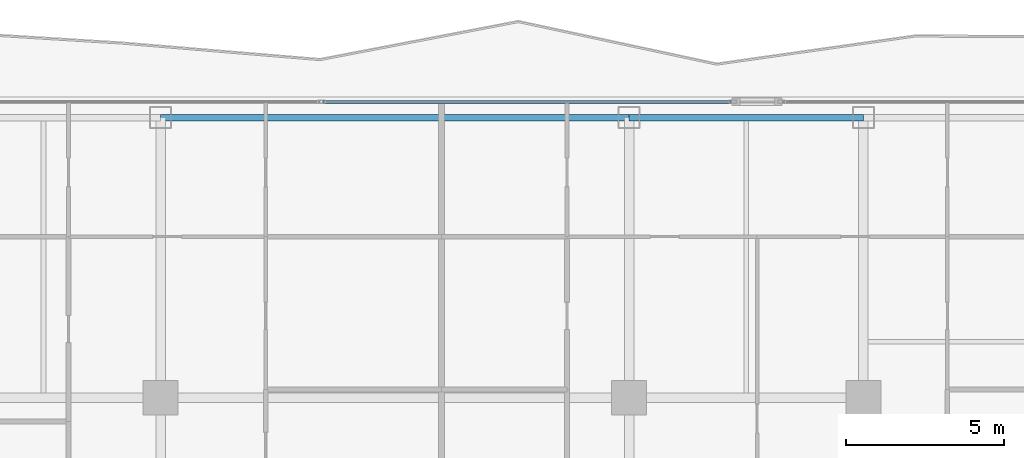
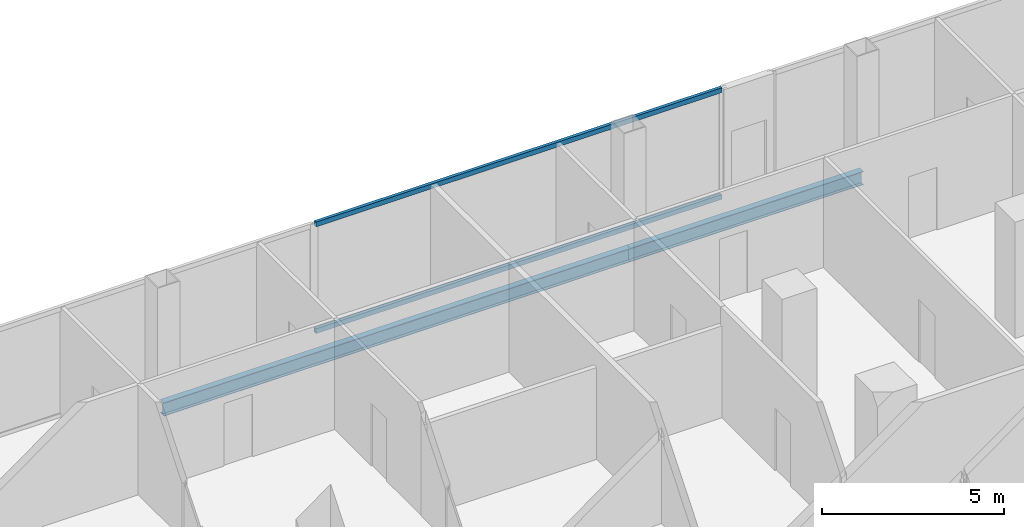
# One storey, part 15 of 27: 2 beams, 2 members, 1 element without a shape of its own.
"""IFC4 building model written with IfcOpenShell, lengths in metres."""

import ifcopenshell
import ifcopenshell.guid

model = None  # the IFC model being written
_history = None  # IfcOwnerHistory: only IFC2X3 demands one
_inside = {}  # id of a spatial element -> (the spatial element, [elements in it])
_under = {}  # id of a project, library or spatial element -> (it, [spatial elements below it])
_declared = {}  # id of a project -> (the project, [libraries it declares])
_typed = {}  # id of a type object -> (the type object, [elements of that type])
_made_of = {}  # id of a material, layer set ... -> (it, [elements and type objects made of it])


def new_model(schema):
    """Start an empty IFC model of exactly this schema.

    Asked for "IFC4X3", IfcOpenShell would pick the latest addendum, in which some entities
    have other attributes; the version numbers below select the first issue.
    IFC2X3 requires an IfcOwnerHistory on every rooted entity: one is made here for all.
    """
    global model, _history
    if schema == "IFC4X3":
        model = ifcopenshell.file(schema_version=(4, 3, 0, 0))
    else:
        model = ifcopenshell.file(schema=schema)
    _inside.clear()
    _under.clear()
    _declared.clear()
    _typed.clear()
    _made_of.clear()
    _history = None
    if model.schema == "IFC2X3":
        org = make("IfcOrganization", Name="unknown")
        user = make(
            "IfcPersonAndOrganization",
            ThePerson=make("IfcPerson", FamilyName="unknown"),
            TheOrganization=org,
        )
        app = make(
            "IfcApplication",
            ApplicationDeveloper=org,
            Version="unknown",
            ApplicationFullName="unknown",
            ApplicationIdentifier="unknown",
        )
        _history = make(
            "IfcOwnerHistory",
            OwningUser=user,
            OwningApplication=app,
            ChangeAction="ADDED",
            CreationDate=0,
        )
    return model


def make(cls, **values):
    """One entity of the class cls with the attributes given. An attribute that is None is left unset."""
    return model.create_entity(
        cls, **{name: value for name, value in values.items() if value is not None}
    )


def rooted(cls, **values):
    """An entity with a GlobalId (a new one), such as an element, a storey or a relation."""
    return make(cls, GlobalId=ifcopenshell.guid.new(), OwnerHistory=_history, **values)


def si_unit(unit_type, name, prefix=None):
    """IfcSIUnit, for example si_unit("LENGTHUNIT", "METRE", prefix="MILLI")."""
    return make("IfcSIUnit", UnitType=unit_type, Prefix=prefix, Name=name)


def assignment(units):
    """IfcUnitAssignment: the units of a project."""
    return None if units is None else make("IfcUnitAssignment", Units=units)


def point(xyz):
    """IfcCartesianPoint."""
    return None if xyz is None else make("IfcCartesianPoint", Coordinates=xyz)


def direction(xyz):
    """IfcDirection."""
    return None if xyz is None else make("IfcDirection", DirectionRatios=xyz)


def frame(location, z_axis=None, x_axis=None):
    """IfcAxis2Placement3D, a coordinate frame: its origin and axes. An axis left out is left unset."""
    return make(
        "IfcAxis2Placement3D",
        Location=point(location),
        Axis=direction(z_axis),
        RefDirection=direction(x_axis),
    )


def frame_2d(location, x_axis=None):
    """IfcAxis2Placement2D, a coordinate frame in the plane: its origin and x axis."""
    return make(
        "IfcAxis2Placement2D", Location=point(location), RefDirection=direction(x_axis)
    )


def origin():
    """The frame at (0, 0, 0) with its axes left unset."""
    return frame((0.0, 0.0, 0.0))


def origin_2d():
    """The frame at (0, 0) in the plane with its x axis left unset."""
    return frame_2d((0.0, 0.0))


def place(relative_to, where):
    """IfcLocalPlacement: puts the frame where relative to a parent placement (None: the world)."""
    return make(
        "IfcLocalPlacement", PlacementRelTo=relative_to, RelativePlacement=where
    )


def context(
    kind, dimensions, precision=None, world=None, true_north=None, identifier=None
):
    """IfcGeometricRepresentationContext, for example the 3D "Model" context."""
    return make(
        "IfcGeometricRepresentationContext",
        ContextIdentifier=identifier,
        ContextType=kind,
        CoordinateSpaceDimension=dimensions,
        Precision=precision,
        WorldCoordinateSystem=world,
        TrueNorth=true_north,
    )


def subcontext(parent, identifier, kind, view, scale=None):
    """IfcGeometricRepresentationSubContext, for example "Body" below "Model"."""
    return make(
        "IfcGeometricRepresentationSubContext",
        ContextIdentifier=identifier,
        ContextType=kind,
        ParentContext=parent,
        TargetScale=scale,
        TargetView=view,
    )


def project(units=None, contexts=None):
    """IfcProject with its units and contexts."""
    return rooted(
        "IfcProject",
        Name="project",
        RepresentationContexts=contexts,
        UnitsInContext=assignment(units),
    )


def spatial(cls, under=None, at=None, **own):
    """A site, building, storey or space (cls), placed at a placement, below another one or the project."""
    s = rooted(cls, ObjectPlacement=at, **own)
    if under is not None:
        _under.setdefault(under.id(), (under, []))[1].append(s)
    return s


def profile(cls, at=None, kind="AREA", **sizes):
    """A parametric profile (cls). Its sizes go by their IFC names, for example OverallWidth=200.0."""
    return make(cls, ProfileType=kind, Position=at, **sizes)


def hollow_rectangle(**sizes):
    """IfcRectangleHollowProfileDef."""
    return profile("IfcRectangleHollowProfileDef", **sizes)


def i_section(**sizes):
    """IfcIShapeProfileDef."""
    return profile("IfcIShapeProfileDef", **sizes)


def extrude(swept, where, along, depth):
    """IfcExtrudedAreaSolid: the profile swept, set in the frame where, extruded along a direction by depth."""
    return make(
        "IfcExtrudedAreaSolid",
        SweptArea=swept,
        Position=where,
        ExtrudedDirection=direction(along),
        Depth=depth,
    )


def shape(context_of_items, identifier, shape_type, items):
    """IfcShapeRepresentation: the items that make up one representation, for example the "Body"."""
    return make(
        "IfcShapeRepresentation",
        ContextOfItems=context_of_items,
        RepresentationIdentifier=identifier,
        RepresentationType=shape_type,
        Items=items,
    )


def material(Name=None, Category=None):
    """IfcMaterial."""
    return make("IfcMaterial", Name=Name, Category=Category)


def layer(
    of_material, thickness, ventilated=None, Name=None, Category=None, Priority=None
):
    """IfcMaterialLayer: one layer of a wall or slab, of a material (None: an air gap)."""
    return make(
        "IfcMaterialLayer",
        Material=of_material,
        LayerThickness=thickness,
        IsVentilated=ventilated,
        Name=Name,
        Category=Category,
        Priority=Priority,
    )


def layer_set(layers, Name=None):
    """IfcMaterialLayerSet."""
    return make("IfcMaterialLayerSet", MaterialLayers=layers, LayerSetName=Name)


def material_profile(
    of_material, cross_section, Name=None, Category=None, Priority=None
):
    """IfcMaterialProfile: a cross section and its material."""
    return make(
        "IfcMaterialProfile",
        Name=Name,
        Material=of_material,
        Profile=cross_section,
        Priority=Priority,
        Category=Category,
    )


def profile_set(profiles, Name=None, composite=None):
    """IfcMaterialProfileSet."""
    return make(
        "IfcMaterialProfileSet",
        Name=Name,
        MaterialProfiles=profiles,
        CompositeProfile=composite,
    )


def made_of(thing, what):
    """Note that an element or type object is made of a material, layer set ...; save() writes the relation."""
    if what is not None:
        _made_of.setdefault(what.id(), (what, []))[1].append(thing)
    return thing


def type_object(cls, material=None, **own):
    """A type object (cls), such as IfcWallType, which elements share."""
    return made_of(rooted(cls, **own), material)


def element(
    cls,
    number,
    at=None,
    inside=None,
    cuts=None,
    type_object=None,
    material=None,
    context=None,
    identifier="Body",
    shape_type=None,
    held_by="IfcProductDefinitionShape",
    body=None,
    shapes=None,
    **own,
):
    """One element of the class cls, such as IfcWall. Its Tag is "e" and its number.

    at: its placement. inside: the storey or other place that contains it. cuts: it is an
    opening in that element (IfcRelVoidsElement). A single representation is given by context,
    identifier, shape_type and body (its items); several are given by shapes. held_by: the class
    of the entity that holds the representations. save() writes the other relations.
    """
    e = rooted(cls, Tag="e%d" % number, ObjectPlacement=at, **own)
    if body is not None:
        shapes = [shape(context, identifier, shape_type, body)]
    if shapes is not None:
        e.Representation = make(held_by, Representations=shapes)
    if inside is not None:
        _inside.setdefault(inside.id(), (inside, []))[1].append(e)
    if cuts is not None:
        rooted(
            "IfcRelVoidsElement", RelatingBuildingElement=cuts, RelatedOpeningElement=e
        )
    if type_object is not None:
        _typed.setdefault(type_object.id(), (type_object, []))[1].append(e)
    return made_of(e, material)


def aggregate(whole, parts):
    """IfcRelAggregates: a whole, such as a stair, and the parts it consists of."""
    return rooted("IfcRelAggregates", RelatingObject=whole, RelatedObjects=parts)


def save(model, path):
    """Write the relations noted so far, then the file.

    IfcRelAggregates (storeys below a building ...), IfcRelContainedInSpatialStructure (elements
    in a storey), IfcRelDefinesByType, IfcRelAssociatesMaterial and IfcRelDeclares: one each for
    every whole, place, type object, material and project.
    """
    for whole, parts in _under.values():
        aggregate(whole, parts)
    for where, things in _inside.values():
        rooted(
            "IfcRelContainedInSpatialStructure",
            RelatedElements=things,
            RelatingStructure=where,
        )
    for kind, things in _typed.values():
        rooted("IfcRelDefinesByType", RelatedObjects=things, RelatingType=kind)
    for what, things in _made_of.values():
        rooted("IfcRelAssociatesMaterial", RelatedObjects=things, RelatingMaterial=what)
    for by, libraries in _declared.values():
        rooted("IfcRelDeclares", RelatingContext=by, RelatedDefinitions=libraries)
    model.write(path)


model = new_model("IFC4")

# Units and contexts
model_context = context("Model", 3, precision=1e-05, world=origin(), true_north=direction((0.0, 1.0)))
body_context = subcontext(model_context, "Body", "Model", "MODEL_VIEW")
ifc_project = project(units=[si_unit("LENGTHUNIT", "METRE"), si_unit("AREAUNIT", "SQUARE_METRE"), si_unit("VOLUMEUNIT", "CUBIC_METRE"), si_unit("PLANEANGLEUNIT", "RADIAN"), si_unit("MASSUNIT", "GRAM", prefix="KILO")], contexts=[model_context])

# Site, building, storey
site_placement = place(None, origin())
site = spatial("IfcSite", under=ifc_project, at=site_placement, CompositionType="ELEMENT")
building_placement = place(site_placement, origin())
building = spatial("IfcBuilding", under=site, at=building_placement, Name="Khorvyn Point Tower", CompositionType="ELEMENT")
storey_placement = place(building_placement, frame((0.0, 0.0, 125.10009765625)))
storey = spatial("IfcBuildingStorey", under=building, at=storey_placement, Name="L31", CompositionType="ELEMENT", Elevation=125.10009765625)

# Curtain wall, members
ifc_material_1 = material(Name="Anodised aluminium 6063-T6 and laminated Low-E glass", Category="aluminium")
ifc_layer = layer(ifc_material_1, 0.18994140625)
ifc_layer_set = layer_set([ifc_layer], Name="Stick-Built Acoustic Curtain Wall CW-SYS-03")
curtain_wall_type = type_object("IfcCurtainWallType", Name="Stick-Built Acoustic Curtain Wall CW-SYS-03", PredefinedType="NOTDEFINED", material=ifc_layer_set)
curtain_wall_placement = place(storey_placement, origin())
curtain_wall = element("IfcCurtainWall", 1, at=curtain_wall_placement, inside=storey, type_object=curtain_wall_type, Name="Curtain Wall", PredefinedType="NOTDEFINED")
ifc_material_2 = material(Name="Anodised aluminium 6063-T6", Category="aluminium")
ifc_material_profile_1 = material_profile(ifc_material_2, hollow_rectangle(XDim=0.10009765625, YDim=0.159912109375, WallThickness=0.00439453125, at=origin_2d()))
ifc_profile_set_1 = profile_set([ifc_material_profile_1], Name="Anodised aluminium 6063-T6 ALU-TRN-100x160")
member_type = type_object("IfcMemberType", Name="Anodised Aluminium 6063-T6 Transom ALU-TRN-100x160", PredefinedType="USERDEFINED", material=ifc_profile_set_1)
member_1_placement = place(storey_placement, frame((-2.262939453125, 29.449951171875, 0.0498046875), z_axis=(1.0, 0.0, 0.0), x_axis=(0.0, 1.0, 0.0)))
member_1 = element("IfcMember", 2, at=member_1_placement, type_object=member_type, Name="Transom", ObjectType="TRANSOM", PredefinedType="USERDEFINED", context=body_context, shape_type="SweptSolid", body=[
    extrude(hollow_rectangle(XDim=0.10009765625, YDim=0.159912109375, WallThickness=0.00439453125, at=origin_2d()), origin(), (0.0, 0.0, 1.0), 12.886962890625),
])
member_2_placement = place(storey_placement, frame((-2.262939453125, 29.449951171875, 3.6298828125), z_axis=(1.0, 0.0, 0.0), x_axis=(0.0, 1.0, 0.0)))
member_2 = element("IfcMember", 3, at=member_2_placement, type_object=member_type, Name="Transom", ObjectType="TRANSOM", PredefinedType="USERDEFINED", context=body_context, shape_type="SweptSolid", body=[
    extrude(hollow_rectangle(XDim=0.10009765625, YDim=0.159912109375, WallThickness=0.00439453125, at=origin_2d()), origin(), (0.0, 0.0, 1.0), 12.886962890625),
])
aggregate(curtain_wall, [member_1, member_2])

# Beams
ifc_material_3 = material(Name="Steel S355", Category="steel")
ifc_material_profile_2 = material_profile(ifc_material_3, i_section(OverallWidth=0.199951171875, OverallDepth=0.449951171875, WebThickness=0.009033203125, FlangeThickness=0.013916015625, at=origin_2d()))
ifc_profile_set_2 = profile_set([ifc_material_profile_2], Name="Steel S355 H450x200x9x14")
beam_type = type_object("IfcBeamType", Name="Steel S355 Spandrel H450x200x9x14", PredefinedType="SPANDREL", material=ifc_profile_set_2)
beam_1_placement = place(storey_placement, frame((-7.39990234375, 28.949951171875, -0.445068359375), z_axis=(1.0, 0.0, 0.0), x_axis=(0.0, 1.0, 0.0)))
element("IfcBeam", 4, at=beam_1_placement, inside=storey, type_object=beam_type, Name="Beam", PredefinedType="SPANDREL", context=body_context, shape_type="SweptSolid", body=[
    extrude(i_section(OverallWidth=0.199951171875, OverallDepth=0.449951171875, WebThickness=0.009033203125, FlangeThickness=0.013916015625, at=origin_2d()), origin(), (0.0, 0.0, 1.0), 14.7998046875),
])
beam_2_placement = place(storey_placement, frame((7.39990234375, 28.949951171875, -0.445068359375), z_axis=(1.0, 0.0, 0.0), x_axis=(0.0, 1.0, 0.0)))
element("IfcBeam", 5, at=beam_2_placement, inside=storey, type_object=beam_type, Name="Beam", PredefinedType="SPANDREL", context=body_context, shape_type="SweptSolid", body=[
    extrude(i_section(OverallWidth=0.199951171875, OverallDepth=0.449951171875, WebThickness=0.009033203125, FlangeThickness=0.013916015625, at=origin_2d()), origin(), (0.0, 0.0, 1.0), 7.400146484375),
])

save(model, "model.ifc")
